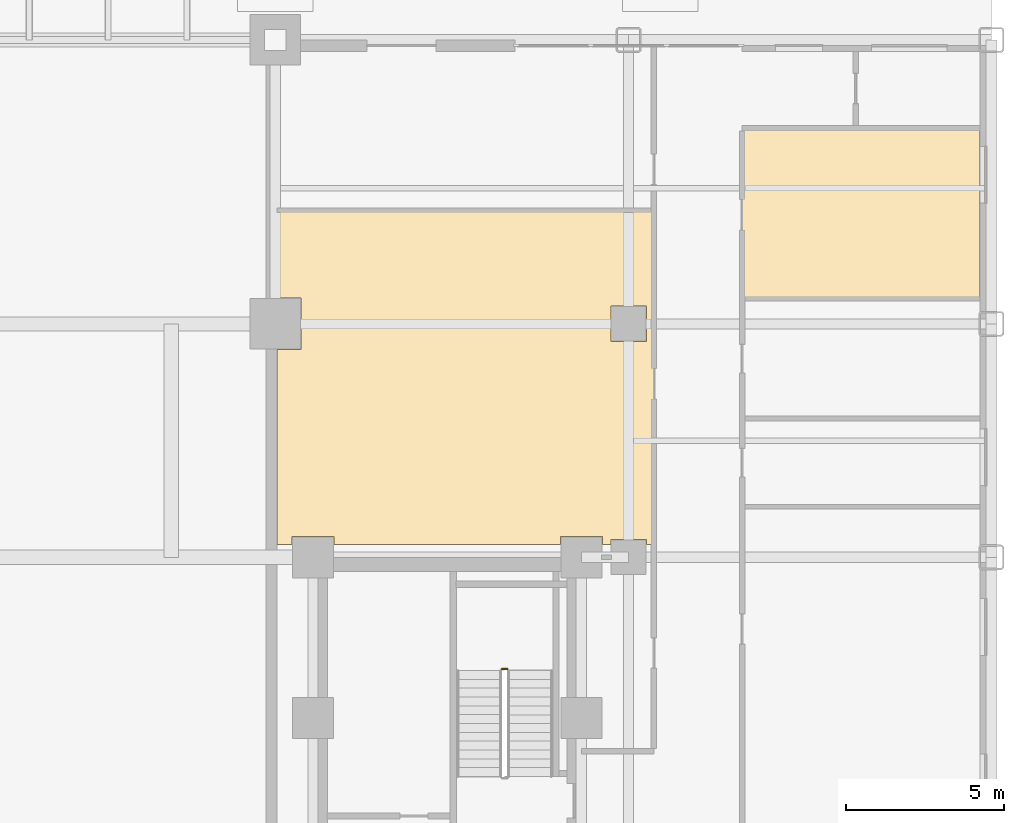
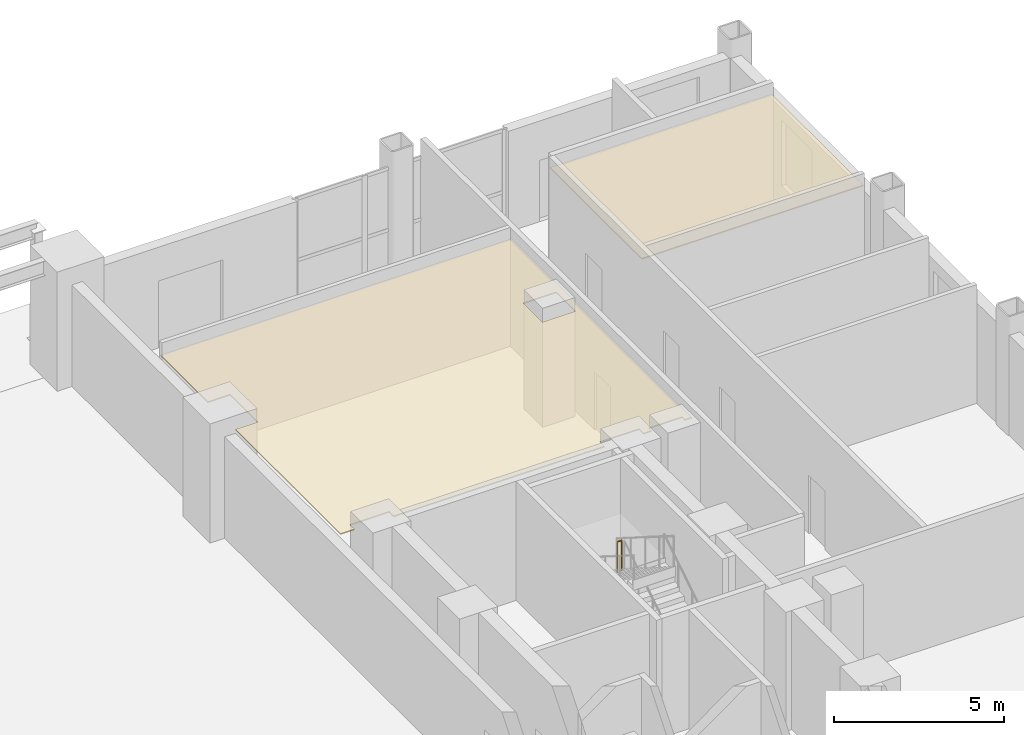
# One storey, part 19 of 20: 2 coverings, 1 railing.
"""IFC4 building model written with IfcOpenShell, lengths in metres."""

from ifc_helpers import new_model, si_unit, direction, frame, origin, origin_2d, place, context, subcontext, project, spatial, polyline, circle, outline, extrude, material, layer, layer_set, type_object, element, save


model = new_model("IFC4")

# Units and contexts
model_context = context("Model", 3, precision=1e-05, world=origin(), true_north=direction((0.0, 1.0)))
body_context = subcontext(model_context, "Body", "Model", "MODEL_VIEW")
ifc_project = project(units=[si_unit("LENGTHUNIT", "METRE"), si_unit("AREAUNIT", "SQUARE_METRE"), si_unit("VOLUMEUNIT", "CUBIC_METRE"), si_unit("PLANEANGLEUNIT", "RADIAN"), si_unit("MASSUNIT", "GRAM", prefix="KILO")], contexts=[model_context])

# Site, building, storey
site_placement = place(None, origin())
site = spatial("IfcSite", under=ifc_project, at=site_placement, CompositionType="ELEMENT")
building_placement = place(site_placement, origin())
building = spatial("IfcBuilding", under=site, at=building_placement, Name="Nuvemarco Arch Tower", CompositionType="ELEMENT")
storey_placement = place(building_placement, origin())
storey = spatial("IfcBuildingStorey", under=building, at=storey_placement, Name="L00", CompositionType="ELEMENT", Elevation=0.0)

# Coverings
ifc_material_1 = material(Name="Mineral acoustic ceiling tile")
ifc_layer = layer(ifc_material_1, 0.0400390625, Name="COV-ACOUSTIC-CLG")
ifc_layer_set = layer_set([ifc_layer], Name="Mineral acoustic ceiling tile")
covering_type = type_object("IfcCoveringType", Name="COV-ACOUSTIC-CLG", PredefinedType="CEILING", material=ifc_layer_set)
covering_1_placement = place(storey_placement, frame((0.0, 0.0, 3.760009765625)))
element("IfcCovering", 1, at=covering_1_placement, inside=storey, type_object=covering_type, Name="L00 suspended acoustic ceiling 2", PredefinedType="CEILING", context=body_context, shape_type="SweptSolid", body=[
    extrude(outline(polyline([(18.1650390625, 10.264892578125), (16.8349609375, 10.264892578125), (16.8349609375, 10.0), (9.6650390625, 10.0), (9.6650390625, 10.264892578125), (8.3349609375, 10.264892578125), (8.3349609375, 10.0), (7.860107421875, 10.0), (7.860107421875, 16.18505859375), (8.614990234375, 16.18505859375), (8.614990234375, 17.81494140625), (7.860107421875, 17.81494140625), (7.860107421875, 20.60009765625), (19.800048828125, 20.60009765625), (19.800048828125, 10.0), (19.56494140625, 10.0), (19.56494140625, 10.1650390625), (18.43505859375, 10.1650390625), (18.43505859375, 10.0), (18.1650390625, 10.0), (18.1650390625, 10.264892578125)]), holes=[polyline([(19.56494140625, 16.43505859375), (19.56494140625, 17.56494140625), (18.43505859375, 17.56494140625), (18.43505859375, 16.43505859375), (19.56494140625, 16.43505859375)])]), origin(), (0.0, 0.0, 1.0), 0.0400390625),
])
covering_2_placement = place(storey_placement, frame((0.0, 0.0, 3.760009765625)))
element("IfcCovering", 2, at=covering_2_placement, inside=storey, type_object=covering_type, Name="L00 suspended acoustic ceiling 3", PredefinedType="CEILING", context=body_context, shape_type="SweptSolid", body=[
    extrude(outline(polyline([(22.60009765625, 17.800048828125), (22.60009765625, 23.199951171875), (26.199951171875, 23.199951171875), (30.139892578125, 23.199951171875), (30.139892578125, 17.800048828125), (22.60009765625, 17.800048828125)])), origin(), (0.0, 0.0, 1.0), 0.0400390625),
])

# Railing
ifc_material_2 = material(Name="Painted balustrade steel S355", Category="steel")
railing_type = type_object("IfcRailingType", Name="RL-STAIR-GUARD", PredefinedType="GUARDRAIL", material=ifc_material_2)
railing_placement = place(storey_placement, frame((15.14990234375, 6.06005859375, 2.300048828125)))
element("IfcRailing", 3, at=railing_placement, inside=storey, type_object=railing_type, Name="L00 ST-2 stair guard 2", PredefinedType="GUARDRAIL", context=body_context, shape_type="SweptSolid", body=[
    extrude(circle(Radius=0.02392578125, at=origin_2d()), frame((0.0, 0.0, 1.09619140625), z_axis=(-1.0, 0.0, 0.0), x_axis=(0.0, -1.0, 0.0)), (0.0, 0.0, 1.0), 0.159912109375),
    extrude(circle(Radius=0.02099609375, at=origin_2d()), origin(), (0.0, 0.0, 1.0), 1.072021484375),
    extrude(circle(Radius=0.02099609375, at=origin_2d()), frame((-0.159912109375, 0.0, 0.0)), (0.0, 0.0, 1.0), 1.072021484375),
])

save(model, "model.ifc")
